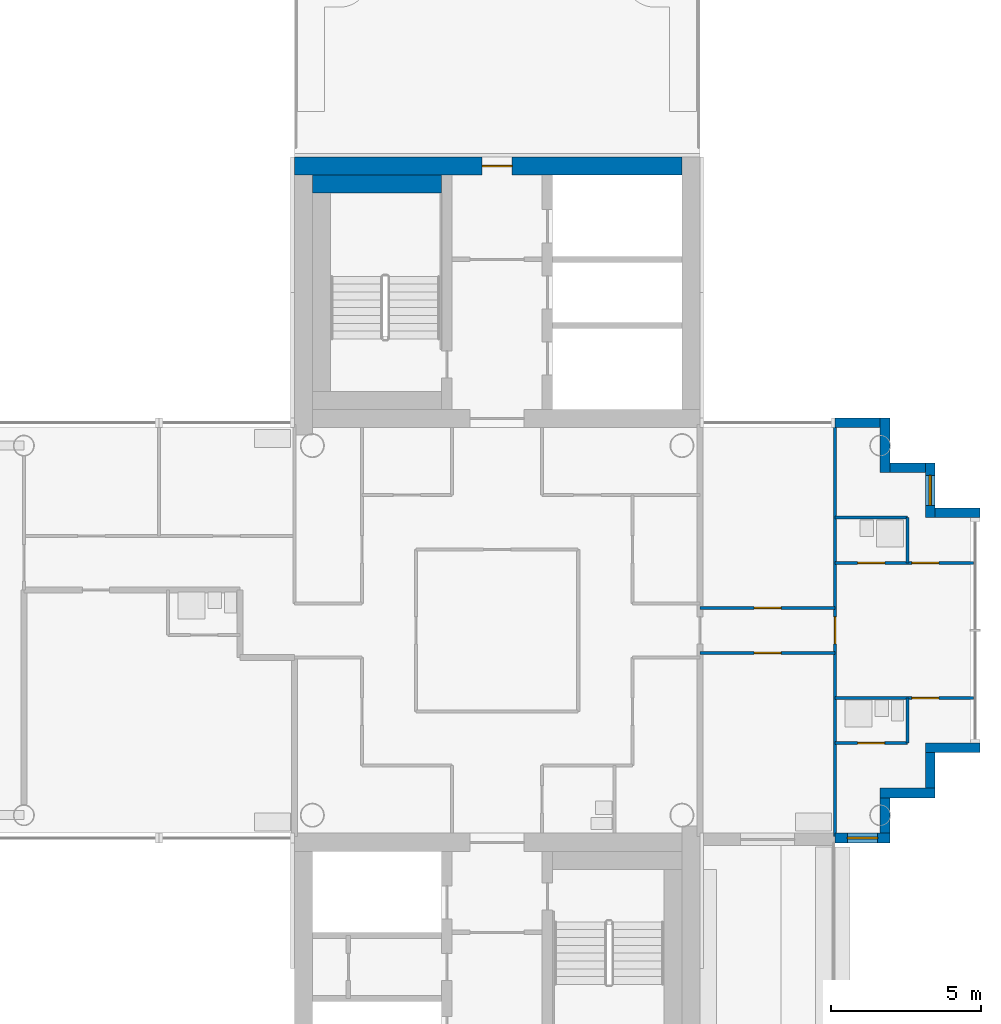
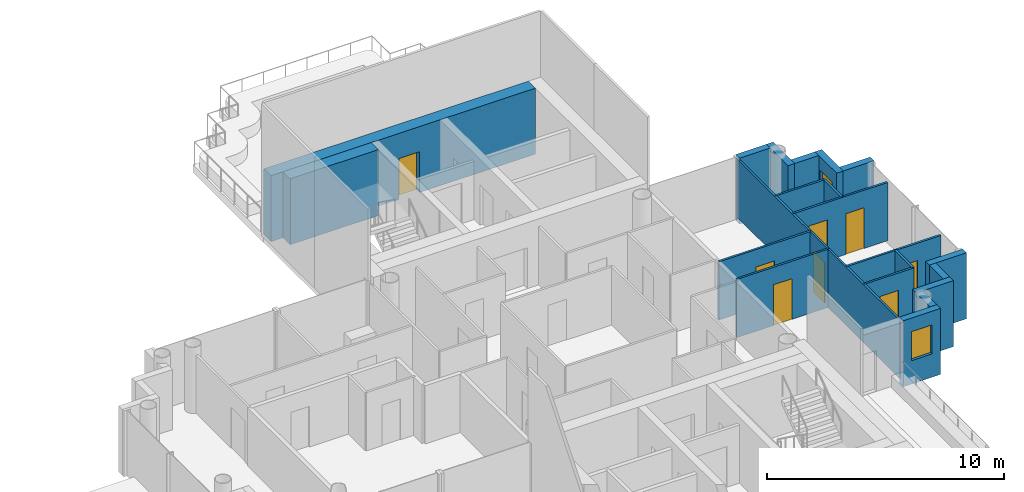
# One storey, part 12 of 19: 21 walls, 8 doors, 2 windows, 10 openings.
"""IFC4 building model written with IfcOpenShell, lengths in metres."""

from ifc_helpers import new_model, si_unit, direction, frame, frame_2d, origin, place, context, subcontext, project, spatial, rectangle, extrude, material, layer, layer_set, type_object, element, fill, save


model = new_model("IFC4")

# Units and contexts
model_context = context("Model", 3, precision=1e-05, world=origin(), true_north=direction((0.0, 1.0)))
body_context = subcontext(model_context, "Body", "Model", "MODEL_VIEW")
ifc_project = project(units=[si_unit("LENGTHUNIT", "METRE"), si_unit("AREAUNIT", "SQUARE_METRE"), si_unit("VOLUMEUNIT", "CUBIC_METRE"), si_unit("PLANEANGLEUNIT", "RADIAN"), si_unit("MASSUNIT", "GRAM", prefix="KILO")], contexts=[model_context])

# Site, building, storey
site_placement = place(None, origin())
site = spatial("IfcSite", under=ifc_project, at=site_placement, CompositionType="ELEMENT")
building_placement = place(site_placement, origin())
building = spatial("IfcBuilding", under=site, at=building_placement, Name="Ipe Terrace Towers", CompositionType="ELEMENT")
storey_placement = place(building_placement, frame((0.0, 0.0, 185.800048828125)))
storey = spatial("IfcBuildingStorey", under=building, at=storey_placement, Name="L51", CompositionType="ELEMENT", Elevation=185.800048828125)

# Wall, opening, window
ifc_material_1 = material(Name="Concrete C40/50 with buff precast cladding", Category="concrete")
ifc_layer_1 = layer(ifc_material_1, 0.320068359375)
ifc_layer_set_1 = layer_set([ifc_layer_1], Name="BUFF CLADDING WALL 320")
wall_type_1 = type_object("IfcWallType", Name="BUFF CLADDING WALL 320", PredefinedType="STANDARD", material=ifc_layer_set_1)
wall_1_placement = place(storey_placement, frame((47.25, -6.909912109375, -0.300048828125), z_axis=(0.0, 0.0, 1.0), x_axis=(1.0, 0.0, 0.0)))
wall_1 = element("IfcWall", 1, at=wall_1_placement, inside=storey, type_object=wall_type_1, Name="T2-W-L51-03a wall", PredefinedType="STANDARD", context=body_context, shape_type="SweptSolid", body=[
    extrude(rectangle(XDim=1.820068359375, YDim=0.320068359375, at=frame_2d((0.91015625, 0.0))), origin(), (0.0, 0.0, 1.0), 3.39990234375),
])
opening_1_placement = place(wall_1_placement, frame((0.409912109375, 0.0, 1.199951171875)))
opening_1 = element("IfcOpeningElement", 2, at=opening_1_placement, cuts=wall_1, Name="Opening T2-W-05-L51-02", PredefinedType="OPENING", context=body_context, shape_type="SweptSolid", body=[
    extrude(rectangle(XDim=1.0, YDim=1.5, at=frame_2d((0.5, 0.75))), frame((0.0, 0.169921875, 0.0), z_axis=(0.0, -1.0, 0.0), x_axis=(1.0, 0.0, 0.0)), (0.0, 0.0, 1.0), 0.340087890625),
])
ifc_material_2 = material(Name="Glass, clear laminated", Category="glass")
window_type = type_object("IfcWindowType", Name="DWELLING WINDOW 1000 x 1500", PartitioningType="SINGLE_PANEL", PredefinedType="WINDOW", material=ifc_material_2)
window_1_placement = place(opening_1_placement, origin())
window_1 = element("IfcWindow", 3, at=window_1_placement, inside=storey, type_object=window_type, Name="W-05 window", OverallHeight=1.5, OverallWidth=1.0, PartitioningType="SINGLE_PANEL", PredefinedType="WINDOW", context=body_context, shape_type="SweptSolid", body=[
    extrude(rectangle(XDim=1.0, YDim=1.5, at=frame_2d((0.5, 0.75))), frame((0.0, 0.030029296875, 0.0), z_axis=(0.0, -1.0, 0.0), x_axis=(1.0, 0.0, 0.0)), (0.0, 0.0, 1.0), 0.06005859375),
])
fill(opening_1, window_1)

# Walls
wall_2_placement = place(storey_placement, frame((48.909912109375, -6.75, -0.300048828125), z_axis=(0.0, 0.0, 1.0), x_axis=(0.0, 1.0, 0.0)))
element("IfcWall", 4, at=wall_2_placement, inside=storey, type_object=wall_type_1, Name="T2-W-L51-04a wall", PredefinedType="STANDARD", context=body_context, shape_type="SweptSolid", body=[
    extrude(rectangle(XDim=1.179931640625, YDim=0.320068359375, at=frame_2d((0.58984375, 0.0))), origin(), (0.0, 0.0, 1.0), 3.39990234375),
])
wall_3_placement = place(storey_placement, frame((48.75, -5.409912109375, -0.300048828125), z_axis=(0.0, 0.0, 1.0), x_axis=(1.0, 0.0, 0.0)))
element("IfcWall", 5, at=wall_3_placement, inside=storey, type_object=wall_type_1, Name="T2-W-L51-05a wall", PredefinedType="STANDARD", context=body_context, shape_type="SweptSolid", body=[
    extrude(rectangle(XDim=1.820068359375, YDim=0.320068359375, at=frame_2d((0.91015625, 0.0))), origin(), (0.0, 0.0, 1.0), 3.39990234375),
])
wall_4_placement = place(storey_placement, frame((50.409912109375, -5.25, -0.300048828125), z_axis=(0.0, 0.0, 1.0), x_axis=(0.0, 1.0, 0.0)))
element("IfcWall", 6, at=wall_4_placement, inside=storey, type_object=wall_type_1, Name="T2-W-L51-06a wall", PredefinedType="STANDARD", context=body_context, shape_type="SweptSolid", body=[
    extrude(rectangle(XDim=1.179931640625, YDim=0.320068359375, at=frame_2d((0.58984375, 0.0))), origin(), (0.0, 0.0, 1.0), 3.39990234375),
])
wall_5_placement = place(storey_placement, frame((50.25, -3.909912109375, -0.300048828125), z_axis=(0.0, 0.0, 1.0), x_axis=(1.0, 0.0, 0.0)))
element("IfcWall", 7, at=wall_5_placement, inside=storey, type_object=wall_type_1, Name="T2-W-L51-07a wall", PredefinedType="STANDARD", context=body_context, shape_type="SweptSolid", body=[
    extrude(rectangle(XDim=1.820068359375, YDim=0.320068359375, at=frame_2d((0.91015625, 0.0))), origin(), (0.0, 0.0, 1.0), 3.39990234375),
])
wall_6_placement = place(storey_placement, frame((52.070068359375, 3.909912109375, -0.300048828125), z_axis=(0.0, 0.0, 1.0), x_axis=(-1.0, 0.0, 0.0)))
element("IfcWall", 8, at=wall_6_placement, inside=storey, type_object=wall_type_1, Name="T2-W-L51-09a wall", PredefinedType="STANDARD", context=body_context, shape_type="SweptSolid", body=[
    extrude(rectangle(XDim=1.5, YDim=0.320068359375, at=frame_2d((0.75, 0.0))), origin(), (0.0, 0.0, 1.0), 3.39990234375),
])

# Wall, opening, window
wall_7_placement = place(storey_placement, frame((50.409912109375, 3.75, -0.300048828125), z_axis=(0.0, 0.0, 1.0), x_axis=(0.0, 1.0, 0.0)))
wall_7 = element("IfcWall", 9, at=wall_7_placement, inside=storey, type_object=wall_type_1, Name="T2-W-L51-10a wall", PredefinedType="STANDARD", context=body_context, shape_type="SweptSolid", body=[
    extrude(rectangle(XDim=1.820068359375, YDim=0.320068359375, at=frame_2d((0.91015625, 0.0))), origin(), (0.0, 0.0, 1.0), 3.39990234375),
])
opening_2_placement = place(wall_7_placement, frame((0.409912109375, 0.0, 1.199951171875)))
opening_2 = element("IfcOpeningElement", 10, at=opening_2_placement, cuts=wall_7, Name="Opening T2-W-05-L51-01", PredefinedType="OPENING", context=body_context, shape_type="SweptSolid", body=[
    extrude(rectangle(XDim=1.0, YDim=1.5, at=frame_2d((0.5, 0.75))), frame((0.0, 0.169921875, 0.0), z_axis=(0.0, -1.0, 0.0), x_axis=(1.0, 0.0, 0.0)), (0.0, 0.0, 1.0), 0.340087890625),
])
window_2_placement = place(opening_2_placement, origin())
window_2 = element("IfcWindow", 11, at=window_2_placement, inside=storey, type_object=window_type, Name="W-05 window", OverallHeight=1.5, OverallWidth=1.0, PartitioningType="SINGLE_PANEL", PredefinedType="WINDOW", context=body_context, shape_type="SweptSolid", body=[
    extrude(rectangle(XDim=1.0, YDim=1.5, at=frame_2d((0.5, 0.75))), frame((0.0, 0.030029296875, 0.0), z_axis=(0.0, -1.0, 0.0), x_axis=(1.0, 0.0, 0.0)), (0.0, 0.0, 1.0), 0.06005859375),
])
fill(opening_2, window_2)

# Walls
wall_8_placement = place(storey_placement, frame((50.25, 5.409912109375, -0.300048828125), z_axis=(0.0, 0.0, 1.0), x_axis=(-1.0, 0.0, 0.0)))
element("IfcWall", 12, at=wall_8_placement, inside=storey, type_object=wall_type_1, Name="T2-W-L51-11a wall", PredefinedType="STANDARD", context=body_context, shape_type="SweptSolid", body=[
    extrude(rectangle(XDim=1.179931640625, YDim=0.320068359375, at=frame_2d((0.58984375, 0.0))), origin(), (0.0, 0.0, 1.0), 3.39990234375),
])
wall_9_placement = place(storey_placement, frame((48.909912109375, 5.25, -0.300048828125), z_axis=(0.0, 0.0, 1.0), x_axis=(0.0, 1.0, 0.0)))
element("IfcWall", 13, at=wall_9_placement, inside=storey, type_object=wall_type_1, Name="T2-W-L51-12a wall", PredefinedType="STANDARD", context=body_context, shape_type="SweptSolid", body=[
    extrude(rectangle(XDim=1.820068359375, YDim=0.320068359375, at=frame_2d((0.91015625, 0.0))), origin(), (0.0, 0.0, 1.0), 3.39990234375),
])
wall_10_placement = place(storey_placement, frame((48.75, 6.909912109375, -0.300048828125), z_axis=(0.0, 0.0, 1.0), x_axis=(-1.0, 0.0, 0.0)))
element("IfcWall", 14, at=wall_10_placement, inside=storey, type_object=wall_type_1, Name="T2-W-L51-13a wall", PredefinedType="STANDARD", context=body_context, shape_type="SweptSolid", body=[
    extrude(rectangle(XDim=1.5, YDim=0.320068359375, at=frame_2d((0.75, 0.0))), origin(), (0.0, 0.0, 1.0), 3.39990234375),
])

# Wall, opening, door
ifc_material_3 = material(Name="Gypsum board partition", Category="plasterboard")
ifc_layer_2 = layer(ifc_material_3, 0.10009765625)
ifc_layer_set_2 = layer_set([ifc_layer_2], Name="Gypsum board partition 100 mm")
wall_type_2 = type_object("IfcWallType", Name="Gypsum board partition 100 mm", PredefinedType="PARTITIONING", material=ifc_layer_set_2)
wall_11_placement = place(storey_placement, frame((49.64990234375, -3.75, 0.0), z_axis=(0.0, 0.0, 1.0), x_axis=(-1.0, 0.0, 0.0)))
wall_11 = element("IfcWall", 15, at=wall_11_placement, inside=storey, type_object=wall_type_2, Name="Gypsum board partition T2 L51 W03", PredefinedType="PARTITIONING", context=body_context, shape_type="SweptSolid", body=[
    extrude(rectangle(XDim=2.39990234375, YDim=0.10009765625, at=frame_2d((1.199951171875, 0.0))), origin(), (0.0, 0.0, 1.0), 3.0),
])
opening_3_placement = place(wall_11_placement, frame((0.75, 0.0, 0.0)))
opening_3 = element("IfcOpeningElement", 16, at=opening_3_placement, cuts=wall_11, Name="Opening T2-Z4C-21", PredefinedType="OPENING", context=body_context, shape_type="SweptSolid", body=[
    extrude(rectangle(XDim=0.89990234375, YDim=2.10009765625, at=frame_2d((0.449951171875, 1.050048828125))), frame((0.0, 0.06005859375, 0.0), z_axis=(0.0, -1.0, 0.0), x_axis=(1.0, 0.0, 0.0)), (0.0, 0.0, 1.0), 0.1201171875),
])
ifc_material_4 = material(Name="Timber door leaf", Category="wood")
door_type_1 = type_object("IfcDoorType", Name="Bathroom door 900 x 2100", OperationType="NOTDEFINED", PredefinedType="DOOR", material=ifc_material_4)
door_1_placement = place(opening_3_placement, origin())
door_1 = element("IfcDoor", 17, at=door_1_placement, inside=storey, type_object=door_type_1, Name="Bathroom door T2-Z4C-21", OperationType="SINGLE_SWING_RIGHT", OverallHeight=2.10009765625, OverallWidth=0.89990234375, PredefinedType="DOOR", context=body_context, shape_type="SweptSolid", body=[
    extrude(rectangle(XDim=0.89990234375, YDim=2.10009765625, at=frame_2d((0.449951171875, 1.050048828125))), frame((0.0, 0.02490234375, 0.0), z_axis=(0.0, -1.0, 0.0), x_axis=(1.0, 0.0, 0.0)), (0.0, 0.0, 1.0), 0.050048828125),
])
fill(opening_3, door_1)

wall_12_placement = place(storey_placement, frame((51.85009765625, -2.25, 0.0), z_axis=(0.0, 0.0, 1.0), x_axis=(-1.0, 0.0, 0.0)))
wall_12 = element("IfcWall", 18, at=wall_12_placement, inside=storey, type_object=wall_type_2, Name="Gypsum board partition T2 L51 W05", PredefinedType="PARTITIONING", context=body_context, shape_type="SweptSolid", body=[
    extrude(rectangle(XDim=4.60009765625, YDim=0.10009765625, at=frame_2d((2.300048828125, 0.0))), origin(), (0.0, 0.0, 1.0), 3.0),
])
opening_4_placement = place(wall_12_placement, frame((1.14990234375, 0.0, 0.0)))
opening_4 = element("IfcOpeningElement", 19, at=opening_4_placement, cuts=wall_12, Name="Opening T2-Z4C-22", PredefinedType="OPENING", context=body_context, shape_type="SweptSolid", body=[
    extrude(rectangle(XDim=0.89990234375, YDim=2.10009765625, at=frame_2d((0.449951171875, 1.050048828125))), frame((0.0, 0.06005859375, 0.0), z_axis=(0.0, -1.0, 0.0), x_axis=(1.0, 0.0, 0.0)), (0.0, 0.0, 1.0), 0.1201171875),
])
ifc_material_5 = material(Name="Timber door leaf", Category="wood")
door_type_2 = type_object("IfcDoorType", Name="Bedroom door 900 x 2100", OperationType="NOTDEFINED", PredefinedType="DOOR", material=ifc_material_5)
door_2_placement = place(opening_4_placement, origin())
door_2 = element("IfcDoor", 20, at=door_2_placement, inside=storey, type_object=door_type_2, Name="Bedroom door T2-Z4C-22", OperationType="SINGLE_SWING_RIGHT", OverallHeight=2.10009765625, OverallWidth=0.89990234375, PredefinedType="DOOR", context=body_context, shape_type="SweptSolid", body=[
    extrude(rectangle(XDim=0.89990234375, YDim=2.10009765625, at=frame_2d((0.449951171875, 1.050048828125))), frame((0.0, 0.02490234375, 0.0), z_axis=(0.0, -1.0, 0.0), x_axis=(1.0, 0.0, 0.0)), (0.0, 0.0, 1.0), 0.050048828125),
])
fill(opening_4, door_2)

wall_13_placement = place(storey_placement, frame((47.25, -0.75, 0.0), z_axis=(0.0, 0.0, 1.0), x_axis=(-1.0, 0.0, 0.0)))
wall_13 = element("IfcWall", 21, at=wall_13_placement, inside=storey, type_object=wall_type_2, Name="Gypsum board partition T2 L51 W09", PredefinedType="PARTITIONING", context=body_context, shape_type="SweptSolid", body=[
    extrude(rectangle(XDim=4.5, YDim=0.10009765625, at=frame_2d((2.25, 0.0))), origin(), (0.0, 0.0, 1.0), 3.0),
])
opening_5_placement = place(wall_13_placement, frame((1.800048828125, 0.0, 0.0)))
opening_5 = element("IfcOpeningElement", 22, at=opening_5_placement, cuts=wall_13, Name="Opening T2-Z4C-16", PredefinedType="OPENING", context=body_context, shape_type="SweptSolid", body=[
    extrude(rectangle(XDim=0.89990234375, YDim=2.10009765625, at=frame_2d((0.449951171875, 1.050048828125))), frame((0.0, 0.06005859375, 0.0), z_axis=(0.0, -1.0, 0.0), x_axis=(1.0, 0.0, 0.0)), (0.0, 0.0, 1.0), 0.1201171875),
])
ifc_material_6 = material(Name="Timber door leaf", Category="wood")
door_type_3 = type_object("IfcDoorType", Name="Lounge door 900 x 2100", OperationType="NOTDEFINED", PredefinedType="DOOR", material=ifc_material_6)
door_3_placement = place(opening_5_placement, origin())
door_3 = element("IfcDoor", 23, at=door_3_placement, inside=storey, type_object=door_type_3, Name="Lounge door T2-Z4C-16", OperationType="SINGLE_SWING_LEFT", OverallHeight=2.10009765625, OverallWidth=0.89990234375, PredefinedType="DOOR", context=body_context, shape_type="SweptSolid", body=[
    extrude(rectangle(XDim=0.89990234375, YDim=2.10009765625, at=frame_2d((0.449951171875, 1.050048828125))), frame((0.0, 0.02490234375, 0.0), z_axis=(0.0, -1.0, 0.0), x_axis=(1.0, 0.0, 0.0)), (0.0, 0.0, 1.0), 0.050048828125),
])
fill(opening_5, door_3)

wall_14_placement = place(storey_placement, frame((47.25, 0.75, 0.0), z_axis=(0.0, 0.0, 1.0), x_axis=(-1.0, 0.0, 0.0)))
wall_14 = element("IfcWall", 24, at=wall_14_placement, inside=storey, type_object=wall_type_2, Name="Gypsum board partition T2 L51 W11", PredefinedType="PARTITIONING", context=body_context, shape_type="SweptSolid", body=[
    extrude(rectangle(XDim=4.5, YDim=0.10009765625, at=frame_2d((2.25, 0.0))), origin(), (0.0, 0.0, 1.0), 3.0),
])
opening_6_placement = place(wall_14_placement, frame((1.800048828125, 0.0, 0.0)))
opening_6 = element("IfcOpeningElement", 25, at=opening_6_placement, cuts=wall_14, Name="Opening T2-Z4C-15", PredefinedType="OPENING", context=body_context, shape_type="SweptSolid", body=[
    extrude(rectangle(XDim=0.89990234375, YDim=2.10009765625, at=frame_2d((0.449951171875, 1.050048828125))), frame((0.0, 0.06005859375, 0.0), z_axis=(0.0, -1.0, 0.0), x_axis=(1.0, 0.0, 0.0)), (0.0, 0.0, 1.0), 0.1201171875),
])
door_4_placement = place(opening_6_placement, origin())
door_4 = element("IfcDoor", 26, at=door_4_placement, inside=storey, type_object=door_type_3, Name="Lounge door T2-Z4C-15", OperationType="SINGLE_SWING_RIGHT", OverallHeight=2.10009765625, OverallWidth=0.89990234375, PredefinedType="DOOR", context=body_context, shape_type="SweptSolid", body=[
    extrude(rectangle(XDim=0.89990234375, YDim=2.10009765625, at=frame_2d((0.449951171875, 1.050048828125))), frame((0.0, 0.02490234375, 0.0), z_axis=(0.0, -1.0, 0.0), x_axis=(1.0, 0.0, 0.0)), (0.0, 0.0, 1.0), 0.050048828125),
])
fill(opening_6, door_4)

# Wall, openings, doors
wall_15_placement = place(storey_placement, frame((51.85009765625, 2.25, 0.0), z_axis=(0.0, 0.0, 1.0), x_axis=(-1.0, 0.0, 0.0)))
wall_15 = element("IfcWall", 27, at=wall_15_placement, inside=storey, type_object=wall_type_2, Name="Gypsum board partition T2 L51 W15", PredefinedType="PARTITIONING", context=body_context, shape_type="SweptSolid", body=[
    extrude(rectangle(XDim=4.60009765625, YDim=0.10009765625, at=frame_2d((2.300048828125, 0.0))), origin(), (0.0, 0.0, 1.0), 3.0),
])
opening_7_placement = place(wall_15_placement, frame((2.949951171875, 0.0, 0.0)))
opening_7 = element("IfcOpeningElement", 28, at=opening_7_placement, cuts=wall_15, Name="Opening T2-Z4C-19", PredefinedType="OPENING", context=body_context, shape_type="SweptSolid", body=[
    extrude(rectangle(XDim=0.89990234375, YDim=2.10009765625, at=frame_2d((0.449951171875, 1.050048828125))), frame((0.0, 0.06005859375, 0.0), z_axis=(0.0, -1.0, 0.0), x_axis=(1.0, 0.0, 0.0)), (0.0, 0.0, 1.0), 0.1201171875),
])
opening_8_placement = place(wall_15_placement, frame((1.14990234375, 0.0, 0.0)))
opening_8 = element("IfcOpeningElement", 29, at=opening_8_placement, cuts=wall_15, Name="Opening T2-Z4C-20", PredefinedType="OPENING", context=body_context, shape_type="SweptSolid", body=[
    extrude(rectangle(XDim=0.89990234375, YDim=2.10009765625, at=frame_2d((0.449951171875, 1.050048828125))), frame((0.0, 0.06005859375, 0.0), z_axis=(0.0, -1.0, 0.0), x_axis=(1.0, 0.0, 0.0)), (0.0, 0.0, 1.0), 0.1201171875),
])
door_5_placement = place(opening_7_placement, origin())
door_5 = element("IfcDoor", 30, at=door_5_placement, inside=storey, type_object=door_type_1, Name="Bathroom door T2-Z4C-19", OperationType="SINGLE_SWING_RIGHT", OverallHeight=2.10009765625, OverallWidth=0.89990234375, PredefinedType="DOOR", context=body_context, shape_type="SweptSolid", body=[
    extrude(rectangle(XDim=0.89990234375, YDim=2.10009765625, at=frame_2d((0.449951171875, 1.050048828125))), frame((0.0, 0.02490234375, 0.0), z_axis=(0.0, -1.0, 0.0), x_axis=(1.0, 0.0, 0.0)), (0.0, 0.0, 1.0), 0.050048828125),
])
fill(opening_7, door_5)
door_6_placement = place(opening_8_placement, origin())
door_6 = element("IfcDoor", 31, at=door_6_placement, inside=storey, type_object=door_type_2, Name="Bedroom door T2-Z4C-20", OperationType="SINGLE_SWING_LEFT", OverallHeight=2.10009765625, OverallWidth=0.89990234375, PredefinedType="DOOR", context=body_context, shape_type="SweptSolid", body=[
    extrude(rectangle(XDim=0.89990234375, YDim=2.10009765625, at=frame_2d((0.449951171875, 1.050048828125))), frame((0.0, 0.02490234375, 0.0), z_axis=(0.0, -1.0, 0.0), x_axis=(1.0, 0.0, 0.0)), (0.0, 0.0, 1.0), 0.050048828125),
])
fill(opening_8, door_6)

# Walls
wall_16_placement = place(storey_placement, frame((49.64990234375, 3.75, 0.0), z_axis=(0.0, 0.0, 1.0), x_axis=(-1.0, 0.0, 0.0)))
element("IfcWall", 32, at=wall_16_placement, inside=storey, type_object=wall_type_2, Name="Gypsum board partition T2 L51 W18", PredefinedType="PARTITIONING", context=body_context, shape_type="SweptSolid", body=[
    extrude(rectangle(XDim=2.39990234375, YDim=0.10009765625, at=frame_2d((1.199951171875, 0.0))), origin(), (0.0, 0.0, 1.0), 3.0),
])
for number, where, z_axis, x_axis, name in (
    (33, (49.64990234375, -3.75, 0.0), (0.0, 0.0, 1.0), (0.0, 1.0, 0.0), "Gypsum board partition T2 L51 W21"),
    (34, (49.64990234375, 2.25, 0.0), (0.0, 0.0, 1.0), (0.0, 1.0, 0.0), "Gypsum board partition T2 L51 W22"),
):
    element("IfcWall", number, at=place(storey_placement, frame(where, z_axis=z_axis, x_axis=x_axis)), inside=storey, type_object=wall_type_2, Name=name, PredefinedType="PARTITIONING", context=body_context, shape_type="SweptSolid", body=[
        extrude(rectangle(XDim=1.5, YDim=0.10009765625, at=frame_2d((0.75, 0.0))), origin(), (0.0, 0.0, 1.0), 3.0),
    ])

# Wall, opening, door
wall_17_placement = place(storey_placement, frame((47.25, -6.85009765625, 0.0), z_axis=(0.0, 0.0, 1.0), x_axis=(0.0, 1.0, 0.0)))
wall_17 = element("IfcWall", 35, at=wall_17_placement, inside=storey, type_object=wall_type_2, Name="Gypsum board partition T2 L51 W23", PredefinedType="PARTITIONING", context=body_context, shape_type="SweptSolid", body=[
    extrude(rectangle(XDim=13.7001953125, YDim=0.10009765625, at=frame_2d((6.85009765625, 0.0))), origin(), (0.0, 0.0, 1.0), 3.0),
])
opening_9_placement = place(wall_17_placement, frame((6.39990234375, 0.0, 0.0)))
opening_9 = element("IfcOpeningElement", 36, at=opening_9_placement, cuts=wall_17, Name="Opening T2-Z4C-18", PredefinedType="OPENING", context=body_context, shape_type="SweptSolid", body=[
    extrude(rectangle(XDim=0.89990234375, YDim=2.10009765625, at=frame_2d((0.449951171875, 1.050048828125))), frame((0.0, 0.06005859375, 0.0), z_axis=(0.0, -1.0, 0.0), x_axis=(1.0, 0.0, 0.0)), (0.0, 0.0, 1.0), 0.1201171875),
])
door_7_placement = place(opening_9_placement, origin())
door_7 = element("IfcDoor", 37, at=door_7_placement, inside=storey, type_object=door_type_3, Name="Lounge door T2-Z4C-18", OperationType="SINGLE_SWING_RIGHT", OverallHeight=2.10009765625, OverallWidth=0.89990234375, PredefinedType="DOOR", context=body_context, shape_type="SweptSolid", body=[
    extrude(rectangle(XDim=0.89990234375, YDim=2.10009765625, at=frame_2d((0.449951171875, 1.050048828125))), frame((0.0, 0.02490234375, 0.0), z_axis=(0.0, -1.0, 0.0), x_axis=(1.0, 0.0, 0.0)), (0.0, 0.0, 1.0), 0.050048828125),
])
fill(opening_9, door_7)

# Wall
ifc_material_7 = material(Name="Concrete C40/50", Category="concrete")
ifc_layer_3 = layer(ifc_material_7, 0.60009765625)
ifc_layer_set_3 = layer_set([ifc_layer_3], Name="RW600 CORE INFILL WALL 600 C40-50")
wall_type_3 = type_object("IfcWallType", Name="RW600 CORE INFILL WALL 600 C40-50", PredefinedType="SHEAR", material=ifc_layer_set_3)
wall_18_placement = place(storey_placement, frame((34.14990234375, 14.85009765625, 0.0), z_axis=(0.0, 0.0, 1.0), x_axis=(-1.0, 0.0, 0.0)))
element("IfcWall", 38, at=wall_18_placement, inside=storey, type_object=wall_type_3, Name="Core infill wall T2-C1-far", PredefinedType="SHEAR", context=body_context, shape_type="SweptSolid", body=[
    extrude(rectangle(XDim=4.2998046875, YDim=0.60009765625, at=frame_2d((2.14990234375, 0.0))), origin(), (0.0, 0.0, 1.0), 3.39990234375),
])

# Wall, opening, door
ifc_material_8 = material(Name="Concrete C40/50", Category="concrete")
ifc_layer_4 = layer(ifc_material_8, 0.60009765625)
ifc_layer_set_4 = layer_set([ifc_layer_4], Name="RW600 CORE WALL 600 C40-50")
wall_type_4 = type_object("IfcWallType", Name="RW600 CORE WALL 600 C40-50", PredefinedType="SHEAR", material=ifc_layer_set_4)
wall_19_placement = place(storey_placement, frame((42.14990234375, 15.449951171875, 0.0), z_axis=(0.0, 0.0, 1.0), x_axis=(-1.0, 0.0, 0.0)))
wall_19 = element("IfcWall", 39, at=wall_19_placement, inside=storey, type_object=wall_type_4, Name="Core wall T2-C1-Z4-W03", PredefinedType="SHEAR", context=body_context, shape_type="SweptSolid", body=[
    extrude(rectangle(XDim=12.89990234375, YDim=0.60009765625, at=frame_2d((6.449951171875, 0.0))), origin(), (0.0, 0.0, 1.0), 3.39990234375),
])
opening_10_placement = place(wall_19_placement, frame((5.64990234375, 0.0, 0.0)))
opening_10 = element("IfcOpeningElement", 40, at=opening_10_placement, cuts=wall_19, Name="Opening T2-C1-D-L51", PredefinedType="OPENING", context=body_context, shape_type="SweptSolid", body=[
    extrude(rectangle(XDim=1.0, YDim=2.10009765625, at=frame_2d((0.5, 1.050048828125))), frame((0.0, 0.31005859375, 0.0), z_axis=(0.0, -1.0, 0.0), x_axis=(1.0, 0.0, 0.0)), (0.0, 0.0, 1.0), 0.6201171875),
])
ifc_material_9 = material(Name="Aluminium alloy 6063-T6 framed glazed door", Category="aluminium")
door_type_4 = type_object("IfcDoorType", Name="TERRACE DOOR 1000 x 2100", OperationType="SINGLE_SWING_LEFT", PredefinedType="DOOR", material=ifc_material_9)
door_8_placement = place(opening_10_placement, origin())
door_8 = element("IfcDoor", 41, at=door_8_placement, inside=storey, type_object=door_type_4, Name="DT1 door", OperationType="SINGLE_SWING_LEFT", OverallHeight=2.10009765625, OverallWidth=1.0, PredefinedType="DOOR", context=body_context, shape_type="SweptSolid", body=[
    extrude(rectangle(XDim=1.0, YDim=2.10009765625, at=frame_2d((0.5, 1.050048828125))), frame((0.0, 0.02490234375, 0.0), z_axis=(0.0, -1.0, 0.0), x_axis=(1.0, 0.0, 0.0)), (0.0, 0.0, 1.0), 0.050048828125),
])
fill(opening_10, door_8)

save(model, "model.ifc")
